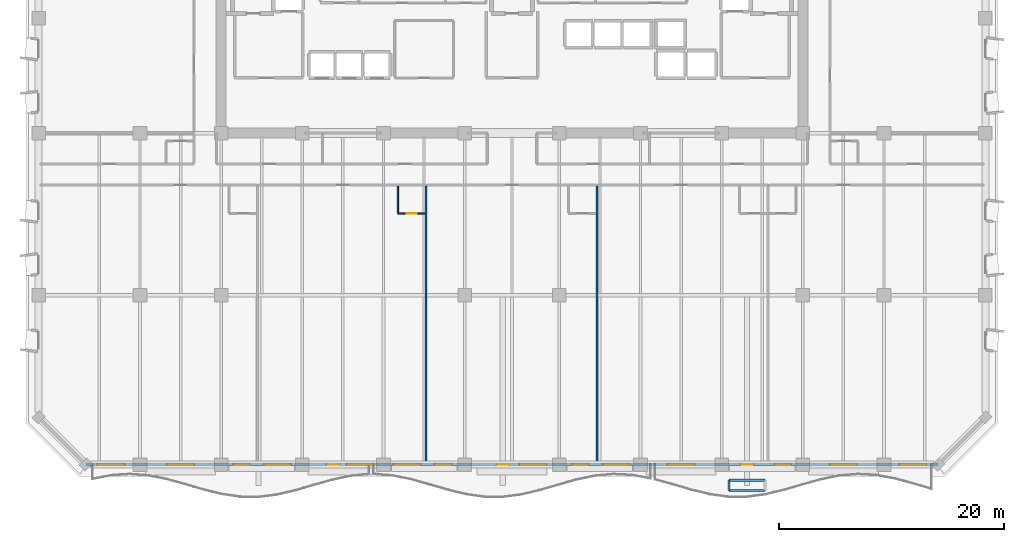
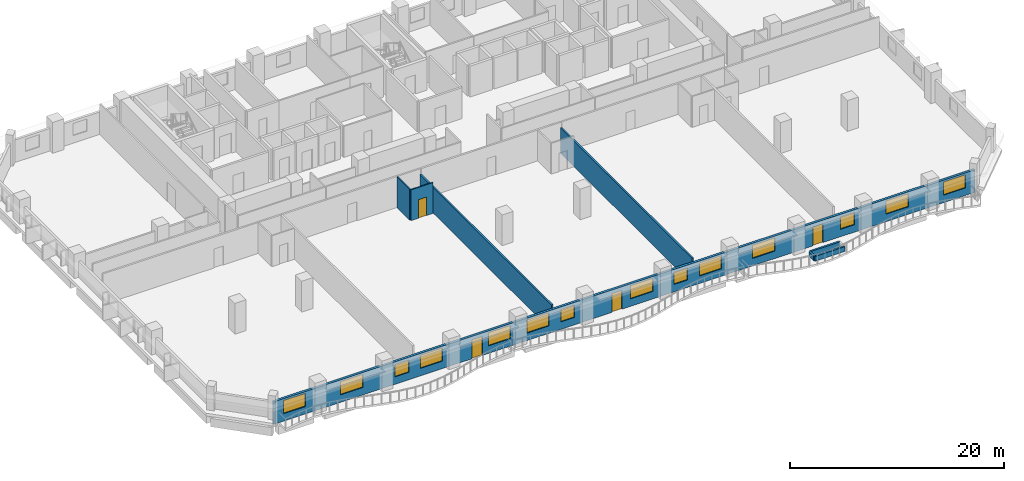
# One storey, part 5 of 14: 14 windows, 8 walls, 4 doors, 18 openings.
"""IFC4 building model written with IfcOpenShell, lengths in metres."""

from ifc_helpers import new_model, si_unit, direction, frame, frame_2d, origin, place, context, subcontext, project, spatial, rectangle, extrude, material, layer, layer_set, type_object, element, fill, save


model = new_model("IFC4")

# Units and contexts
model_context = context("Model", 3, precision=1e-05, world=origin(), true_north=direction((0.0, 1.0)))
body_context = subcontext(model_context, "Body", "Model", "MODEL_VIEW")
ifc_project = project(units=[si_unit("LENGTHUNIT", "METRE"), si_unit("AREAUNIT", "SQUARE_METRE"), si_unit("VOLUMEUNIT", "CUBIC_METRE"), si_unit("PLANEANGLEUNIT", "RADIAN"), si_unit("MASSUNIT", "GRAM", prefix="KILO")], contexts=[model_context])

# Site, building, storey
site_placement = place(None, origin())
site = spatial("IfcSite", under=ifc_project, at=site_placement, CompositionType="ELEMENT")
building_placement = place(site_placement, origin())
building = spatial("IfcBuilding", under=site, at=building_placement, Name="Kaelvorn Grand Hotel", CompositionType="ELEMENT")
storey_placement = place(building_placement, frame((0.0, 0.0, 126.800048828125)))
storey = spatial("IfcBuildingStorey", under=building, at=storey_placement, Name="L30", CompositionType="ELEMENT", Elevation=126.800048828125)

# Wall, openings, doors, windows
ifc_material_1 = material(Name="Concrete C40/50", Category="concrete")
ifc_layer_1 = layer(ifc_material_1, 0.260009765625)
ifc_layer_set_1 = layer_set([ifc_layer_1], Name="Concrete C40/50")
wall_type_1 = type_object("IfcWallType", Name="WL-EXT-260-C40", PredefinedType="SOLIDWALL", material=ifc_layer_set_1)
wall_1_placement = place(storey_placement, frame((4.199951171875, 0.0, 0.0), z_axis=(0.0, 0.0, 1.0), x_axis=(1.0, 0.0, 0.0)))
wall_1 = element("IfcWall", 1, at=wall_1_placement, inside=storey, type_object=wall_type_1, Name="L30 Exterior Architectural Concrete Wall 01", PredefinedType="SOLIDWALL", context=body_context, shape_type="SweptSolid", body=[
    extrude(rectangle(XDim=75.60009765625, YDim=0.260009765625, at=frame_2d((37.800048828125, 0.0))), origin(), (0.0, 0.0, 1.0), 2.56005859375),
])
opening_1_placement = place(wall_1_placement, frame((21.38330078125, 0.0, 0.0)))
opening_1 = element("IfcOpeningElement", 2, at=opening_1_placement, cuts=wall_1, Name="Opening DE2", PredefinedType="OPENING", context=body_context, shape_type="SweptSolid", body=[
    extrude(rectangle(XDim=1.10009765625, YDim=2.14990234375, at=frame_2d((0.550048828125, 1.074951171875))), frame((0.0, 0.14013671875, 0.0), z_axis=(0.0, -1.0, 0.0), x_axis=(1.0, 0.0, 0.0)), (0.0, 0.0, 1.0), 0.280029296875),
])
opening_2_placement = place(wall_1_placement, frame((36.43212890625, 0.0, 0.0)))
opening_2 = element("IfcOpeningElement", 3, at=opening_2_placement, cuts=wall_1, Name="Opening DE2", PredefinedType="OPENING", context=body_context, shape_type="SweptSolid", body=[
    extrude(rectangle(XDim=1.10009765625, YDim=2.14990234375, at=frame_2d((0.550048828125, 1.074951171875))), frame((0.0, 0.14013671875, 0.0), z_axis=(0.0, -1.0, 0.0), x_axis=(1.0, 0.0, 0.0)), (0.0, 0.0, 1.0), 0.280029296875),
])
opening_3_placement = place(wall_1_placement, frame((58.094482421875, 0.0, 0.0)))
opening_3 = element("IfcOpeningElement", 4, at=opening_3_placement, cuts=wall_1, Name="Opening DE2", PredefinedType="OPENING", context=body_context, shape_type="SweptSolid", body=[
    extrude(rectangle(XDim=1.10009765625, YDim=2.14990234375, at=frame_2d((0.550048828125, 1.074951171875))), frame((0.0, 0.14013671875, 0.0), z_axis=(0.0, -1.0, 0.0), x_axis=(1.0, 0.0, 0.0)), (0.0, 0.0, 1.0), 0.280029296875),
])
opening_4_placement = place(wall_1_placement, frame((1.034912109375, 0.0, 0.85009765625)))
opening_4 = element("IfcOpeningElement", 5, at=opening_4_placement, cuts=wall_1, Name="Opening W6", PredefinedType="OPENING", context=body_context, shape_type="SweptSolid", body=[
    extrude(rectangle(XDim=2.39990234375, YDim=1.5, at=frame_2d((1.199951171875, 0.75))), frame((0.0, 0.14013671875, 0.0), z_axis=(0.0, -1.0, 0.0), x_axis=(1.0, 0.0, 0.0)), (0.0, 0.0, 1.0), 0.280029296875),
])
opening_5_placement = place(wall_1_placement, frame((7.199951171875, 0.0, 0.85009765625)))
opening_5 = element("IfcOpeningElement", 6, at=opening_5_placement, cuts=wall_1, Name="Opening W6", PredefinedType="OPENING", context=body_context, shape_type="SweptSolid", body=[
    extrude(rectangle(XDim=2.39990234375, YDim=1.5, at=frame_2d((1.199951171875, 0.75))), frame((0.0, 0.14013671875, 0.0), z_axis=(0.0, -1.0, 0.0), x_axis=(1.0, 0.0, 0.0)), (0.0, 0.0, 1.0), 0.280029296875),
])
opening_6_placement = place(wall_1_placement, frame((13.054931640625, 0.0, 0.85009765625)))
opening_6 = element("IfcOpeningElement", 7, at=opening_6_placement, cuts=wall_1, Name="Opening W10", PredefinedType="OPENING", context=body_context, shape_type="SweptSolid", body=[
    extrude(rectangle(XDim=1.5, YDim=1.39990234375, at=frame_2d((0.75, 0.699951171875))), frame((0.0, 0.14013671875, 0.0), z_axis=(0.0, -1.0, 0.0), x_axis=(1.0, 0.0, 0.0)), (0.0, 0.0, 1.0), 0.280029296875),
])
opening_7_placement = place(wall_1_placement, frame((15.804931640625, 0.0, 0.85009765625)))
opening_7 = element("IfcOpeningElement", 8, at=opening_7_placement, cuts=wall_1, Name="Opening W6", PredefinedType="OPENING", context=body_context, shape_type="SweptSolid", body=[
    extrude(rectangle(XDim=2.39990234375, YDim=1.5, at=frame_2d((1.199951171875, 0.75))), frame((0.0, 0.14013671875, 0.0), z_axis=(0.0, -1.0, 0.0), x_axis=(1.0, 0.0, 0.0)), (0.0, 0.0, 1.0), 0.280029296875),
])
opening_8_placement = place(wall_1_placement, frame((23.126708984375, 0.0, 0.85009765625)))
opening_8 = element("IfcOpeningElement", 9, at=opening_8_placement, cuts=wall_1, Name="Opening W6", PredefinedType="OPENING", context=body_context, shape_type="SweptSolid", body=[
    extrude(rectangle(XDim=2.39990234375, YDim=1.5, at=frame_2d((1.199951171875, 0.75))), frame((0.0, 0.14013671875, 0.0), z_axis=(0.0, -1.0, 0.0), x_axis=(1.0, 0.0, 0.0)), (0.0, 0.0, 1.0), 0.280029296875),
])
opening_9_placement = place(wall_1_placement, frame((27.284912109375, 0.0, 0.85009765625)))
opening_9 = element("IfcOpeningElement", 10, at=opening_9_placement, cuts=wall_1, Name="Opening W6", PredefinedType="OPENING", context=body_context, shape_type="SweptSolid", body=[
    extrude(rectangle(XDim=2.39990234375, YDim=1.5, at=frame_2d((1.199951171875, 0.75))), frame((0.0, 0.14013671875, 0.0), z_axis=(0.0, -1.0, 0.0), x_axis=(1.0, 0.0, 0.0)), (0.0, 0.0, 1.0), 0.280029296875),
])
opening_10_placement = place(wall_1_placement, frame((30.93505859375, 0.0, 0.85009765625)))
opening_10 = element("IfcOpeningElement", 11, at=opening_10_placement, cuts=wall_1, Name="Opening W10", PredefinedType="OPENING", context=body_context, shape_type="SweptSolid", body=[
    extrude(rectangle(XDim=1.5, YDim=1.39990234375, at=frame_2d((0.75, 0.699951171875))), frame((0.0, 0.14013671875, 0.0), z_axis=(0.0, -1.0, 0.0), x_axis=(1.0, 0.0, 0.0)), (0.0, 0.0, 1.0), 0.280029296875),
])
opening_11_placement = place(wall_1_placement, frame((38.451171875, 0.0, 0.85009765625)))
opening_11 = element("IfcOpeningElement", 12, at=opening_11_placement, cuts=wall_1, Name="Opening W6", PredefinedType="OPENING", context=body_context, shape_type="SweptSolid", body=[
    extrude(rectangle(XDim=2.39990234375, YDim=1.5, at=frame_2d((1.199951171875, 0.75))), frame((0.0, 0.14013671875, 0.0), z_axis=(0.0, -1.0, 0.0), x_axis=(1.0, 0.0, 0.0)), (0.0, 0.0, 1.0), 0.280029296875),
])
opening_12_placement = place(wall_1_placement, frame((43.114990234375, 0.0, 0.85009765625)))
opening_12 = element("IfcOpeningElement", 13, at=opening_12_placement, cuts=wall_1, Name="Opening W10", PredefinedType="OPENING", context=body_context, shape_type="SweptSolid", body=[
    extrude(rectangle(XDim=1.5, YDim=1.39990234375, at=frame_2d((0.75, 0.699951171875))), frame((0.0, 0.14013671875, 0.0), z_axis=(0.0, -1.0, 0.0), x_axis=(1.0, 0.0, 0.0)), (0.0, 0.0, 1.0), 0.280029296875),
])
opening_13_placement = place(wall_1_placement, frame((45.864990234375, 0.0, 0.85009765625)))
opening_13 = element("IfcOpeningElement", 14, at=opening_13_placement, cuts=wall_1, Name="Opening W6", PredefinedType="OPENING", context=body_context, shape_type="SweptSolid", body=[
    extrude(rectangle(XDim=2.39990234375, YDim=1.5, at=frame_2d((1.199951171875, 0.75))), frame((0.0, 0.14013671875, 0.0), z_axis=(0.0, -1.0, 0.0), x_axis=(1.0, 0.0, 0.0)), (0.0, 0.0, 1.0), 0.280029296875),
])
opening_14_placement = place(wall_1_placement, frame((51.60009765625, 0.0, 0.85009765625)))
opening_14 = element("IfcOpeningElement", 15, at=opening_14_placement, cuts=wall_1, Name="Opening W6", PredefinedType="OPENING", context=body_context, shape_type="SweptSolid", body=[
    extrude(rectangle(XDim=2.39990234375, YDim=1.5, at=frame_2d((1.199951171875, 0.75))), frame((0.0, 0.14013671875, 0.0), z_axis=(0.0, -1.0, 0.0), x_axis=(1.0, 0.0, 0.0)), (0.0, 0.0, 1.0), 0.280029296875),
])
opening_15_placement = place(wall_1_placement, frame((61.095458984375, 0.0, 0.85009765625)))
opening_15 = element("IfcOpeningElement", 16, at=opening_15_placement, cuts=wall_1, Name="Opening W10", PredefinedType="OPENING", context=body_context, shape_type="SweptSolid", body=[
    extrude(rectangle(XDim=1.5, YDim=1.39990234375, at=frame_2d((0.75, 0.699951171875))), frame((0.0, 0.14013671875, 0.0), z_axis=(0.0, -1.0, 0.0), x_axis=(1.0, 0.0, 0.0)), (0.0, 0.0, 1.0), 0.280029296875),
])
opening_16_placement = place(wall_1_placement, frame((66.0, 0.0, 0.85009765625)))
opening_16 = element("IfcOpeningElement", 17, at=opening_16_placement, cuts=wall_1, Name="Opening W6", PredefinedType="OPENING", context=body_context, shape_type="SweptSolid", body=[
    extrude(rectangle(XDim=2.39990234375, YDim=1.5, at=frame_2d((1.199951171875, 0.75))), frame((0.0, 0.14013671875, 0.0), z_axis=(0.0, -1.0, 0.0), x_axis=(1.0, 0.0, 0.0)), (0.0, 0.0, 1.0), 0.280029296875),
])
opening_17_placement = place(wall_1_placement, frame((72.1650390625, 0.0, 0.85009765625)))
opening_17 = element("IfcOpeningElement", 18, at=opening_17_placement, cuts=wall_1, Name="Opening W6", PredefinedType="OPENING", context=body_context, shape_type="SweptSolid", body=[
    extrude(rectangle(XDim=2.39990234375, YDim=1.5, at=frame_2d((1.199951171875, 0.75))), frame((0.0, 0.14013671875, 0.0), z_axis=(0.0, -1.0, 0.0), x_axis=(1.0, 0.0, 0.0)), (0.0, 0.0, 1.0), 0.280029296875),
])
ifc_material_2 = material(Name="Anodised Aluminium", Category="aluminium")
door_type_1 = type_object("IfcDoorType", Name="DR-EXT-BALC-1100x2150", OperationType="NOTDEFINED", PredefinedType="DOOR", material=ifc_material_2)
door_1_placement = place(opening_1_placement, origin())
door_1 = element("IfcDoor", 19, at=door_1_placement, inside=storey, type_object=door_type_1, Name="L30 Scalloped Balcony Glazed Door DE2-1", OperationType="SINGLE_SWING_RIGHT", OverallHeight=2.14990234375, OverallWidth=1.10009765625, PredefinedType="DOOR", context=body_context, shape_type="SweptSolid", body=[
    extrude(rectangle(XDim=1.10009765625, YDim=2.14990234375, at=frame_2d((0.550048828125, 1.074951171875))), frame((0.0, 0.02490234375, 0.0), z_axis=(0.0, -1.0, 0.0), x_axis=(1.0, 0.0, 0.0)), (0.0, 0.0, 1.0), 0.050048828125),
])
fill(opening_1, door_1)
door_2_placement = place(opening_2_placement, origin())
door_2 = element("IfcDoor", 20, at=door_2_placement, inside=storey, type_object=door_type_1, Name="L30 Scalloped Balcony Glazed Door DE2-2", OperationType="SINGLE_SWING_LEFT", OverallHeight=2.14990234375, OverallWidth=1.10009765625, PredefinedType="DOOR", context=body_context, shape_type="SweptSolid", body=[
    extrude(rectangle(XDim=1.10009765625, YDim=2.14990234375, at=frame_2d((0.550048828125, 1.074951171875))), frame((0.0, 0.02490234375, 0.0), z_axis=(0.0, -1.0, 0.0), x_axis=(1.0, 0.0, 0.0)), (0.0, 0.0, 1.0), 0.050048828125),
])
fill(opening_2, door_2)
door_3_placement = place(opening_3_placement, origin())
door_3 = element("IfcDoor", 21, at=door_3_placement, inside=storey, type_object=door_type_1, Name="L30 Scalloped Balcony Glazed Door DE2-3", OperationType="SINGLE_SWING_RIGHT", OverallHeight=2.14990234375, OverallWidth=1.10009765625, PredefinedType="DOOR", context=body_context, shape_type="SweptSolid", body=[
    extrude(rectangle(XDim=1.10009765625, YDim=2.14990234375, at=frame_2d((0.550048828125, 1.074951171875))), frame((0.0, 0.02490234375, 0.0), z_axis=(0.0, -1.0, 0.0), x_axis=(1.0, 0.0, 0.0)), (0.0, 0.0, 1.0), 0.050048828125),
])
fill(opening_3, door_3)
ifc_material_3 = material(Name="Laminated Low-E Glass", Category="glass")
window_type_1 = type_object("IfcWindowType", Name="WIN-COR-1500x1400", PartitioningType="SINGLE_PANEL", PredefinedType="WINDOW", material=ifc_material_3)
window_1_placement = place(opening_6_placement, origin())
window_1 = element("IfcWindow", 22, at=window_1_placement, inside=storey, type_object=window_type_1, Name="L30 South Guestroom Ribbon Window SR03", OverallHeight=1.39990234375, OverallWidth=1.5, PartitioningType="SINGLE_PANEL", PredefinedType="WINDOW", context=body_context, shape_type="SweptSolid", body=[
    extrude(rectangle(XDim=1.5, YDim=1.39990234375, at=frame_2d((0.75, 0.699951171875))), frame((0.0, 0.030029296875, 0.0), z_axis=(0.0, -1.0, 0.0), x_axis=(1.0, 0.0, 0.0)), (0.0, 0.0, 1.0), 0.06005859375),
])
fill(opening_6, window_1)
window_2_placement = place(opening_10_placement, origin())
window_2 = element("IfcWindow", 23, at=window_2_placement, inside=storey, type_object=window_type_1, Name="L30 South Guestroom Ribbon Window SR07", OverallHeight=1.39990234375, OverallWidth=1.5, PartitioningType="SINGLE_PANEL", PredefinedType="WINDOW", context=body_context, shape_type="SweptSolid", body=[
    extrude(rectangle(XDim=1.5, YDim=1.39990234375, at=frame_2d((0.75, 0.699951171875))), frame((0.0, 0.030029296875, 0.0), z_axis=(0.0, -1.0, 0.0), x_axis=(1.0, 0.0, 0.0)), (0.0, 0.0, 1.0), 0.06005859375),
])
fill(opening_10, window_2)
window_3_placement = place(opening_12_placement, origin())
window_3 = element("IfcWindow", 24, at=window_3_placement, inside=storey, type_object=window_type_1, Name="L30 South Guestroom Ribbon Window SR09", OverallHeight=1.39990234375, OverallWidth=1.5, PartitioningType="SINGLE_PANEL", PredefinedType="WINDOW", context=body_context, shape_type="SweptSolid", body=[
    extrude(rectangle(XDim=1.5, YDim=1.39990234375, at=frame_2d((0.75, 0.699951171875))), frame((0.0, 0.030029296875, 0.0), z_axis=(0.0, -1.0, 0.0), x_axis=(1.0, 0.0, 0.0)), (0.0, 0.0, 1.0), 0.06005859375),
])
fill(opening_12, window_3)
window_4_placement = place(opening_15_placement, origin())
window_4 = element("IfcWindow", 25, at=window_4_placement, inside=storey, type_object=window_type_1, Name="L30 South Guestroom Ribbon Window SR12", OverallHeight=1.39990234375, OverallWidth=1.5, PartitioningType="SINGLE_PANEL", PredefinedType="WINDOW", context=body_context, shape_type="SweptSolid", body=[
    extrude(rectangle(XDim=1.5, YDim=1.39990234375, at=frame_2d((0.75, 0.699951171875))), frame((0.0, 0.030029296875, 0.0), z_axis=(0.0, -1.0, 0.0), x_axis=(1.0, 0.0, 0.0)), (0.0, 0.0, 1.0), 0.06005859375),
])
fill(opening_15, window_4)
window_type_2 = type_object("IfcWindowType", Name="WIN-NTH-2400x1500", PartitioningType="SINGLE_PANEL", PredefinedType="WINDOW", material=ifc_material_3)
window_5_placement = place(opening_4_placement, origin())
window_5 = element("IfcWindow", 26, at=window_5_placement, inside=storey, type_object=window_type_2, Name="L30 South Guestroom Ribbon Window SR01", OverallHeight=1.5, OverallWidth=2.39990234375, PartitioningType="SINGLE_PANEL", PredefinedType="WINDOW", context=body_context, shape_type="SweptSolid", body=[
    extrude(rectangle(XDim=2.39990234375, YDim=1.5, at=frame_2d((1.199951171875, 0.75))), frame((0.0, 0.030029296875, 0.0), z_axis=(0.0, -1.0, 0.0), x_axis=(1.0, 0.0, 0.0)), (0.0, 0.0, 1.0), 0.06005859375),
])
fill(opening_4, window_5)
window_6_placement = place(opening_5_placement, origin())
window_6 = element("IfcWindow", 27, at=window_6_placement, inside=storey, type_object=window_type_2, Name="L30 South Guestroom Ribbon Window SR02", OverallHeight=1.5, OverallWidth=2.39990234375, PartitioningType="SINGLE_PANEL", PredefinedType="WINDOW", context=body_context, shape_type="SweptSolid", body=[
    extrude(rectangle(XDim=2.39990234375, YDim=1.5, at=frame_2d((1.199951171875, 0.75))), frame((0.0, 0.030029296875, 0.0), z_axis=(0.0, -1.0, 0.0), x_axis=(1.0, 0.0, 0.0)), (0.0, 0.0, 1.0), 0.06005859375),
])
fill(opening_5, window_6)
window_7_placement = place(opening_7_placement, origin())
window_7 = element("IfcWindow", 28, at=window_7_placement, inside=storey, type_object=window_type_2, Name="L30 South Guestroom Ribbon Window SR04", OverallHeight=1.5, OverallWidth=2.39990234375, PartitioningType="SINGLE_PANEL", PredefinedType="WINDOW", context=body_context, shape_type="SweptSolid", body=[
    extrude(rectangle(XDim=2.39990234375, YDim=1.5, at=frame_2d((1.199951171875, 0.75))), frame((0.0, 0.030029296875, 0.0), z_axis=(0.0, -1.0, 0.0), x_axis=(1.0, 0.0, 0.0)), (0.0, 0.0, 1.0), 0.06005859375),
])
fill(opening_7, window_7)
window_8_placement = place(opening_8_placement, origin())
window_8 = element("IfcWindow", 29, at=window_8_placement, inside=storey, type_object=window_type_2, Name="L30 South Guestroom Ribbon Window SR05", OverallHeight=1.5, OverallWidth=2.39990234375, PartitioningType="SINGLE_PANEL", PredefinedType="WINDOW", context=body_context, shape_type="SweptSolid", body=[
    extrude(rectangle(XDim=2.39990234375, YDim=1.5, at=frame_2d((1.199951171875, 0.75))), frame((0.0, 0.030029296875, 0.0), z_axis=(0.0, -1.0, 0.0), x_axis=(1.0, 0.0, 0.0)), (0.0, 0.0, 1.0), 0.06005859375),
])
fill(opening_8, window_8)
window_9_placement = place(opening_9_placement, origin())
window_9 = element("IfcWindow", 30, at=window_9_placement, inside=storey, type_object=window_type_2, Name="L30 South Guestroom Ribbon Window SR06", OverallHeight=1.5, OverallWidth=2.39990234375, PartitioningType="SINGLE_PANEL", PredefinedType="WINDOW", context=body_context, shape_type="SweptSolid", body=[
    extrude(rectangle(XDim=2.39990234375, YDim=1.5, at=frame_2d((1.199951171875, 0.75))), frame((0.0, 0.030029296875, 0.0), z_axis=(0.0, -1.0, 0.0), x_axis=(1.0, 0.0, 0.0)), (0.0, 0.0, 1.0), 0.06005859375),
])
fill(opening_9, window_9)
window_10_placement = place(opening_11_placement, origin())
window_10 = element("IfcWindow", 31, at=window_10_placement, inside=storey, type_object=window_type_2, Name="L30 South Guestroom Ribbon Window SR08", OverallHeight=1.5, OverallWidth=2.39990234375, PartitioningType="SINGLE_PANEL", PredefinedType="WINDOW", context=body_context, shape_type="SweptSolid", body=[
    extrude(rectangle(XDim=2.39990234375, YDim=1.5, at=frame_2d((1.199951171875, 0.75))), frame((0.0, 0.030029296875, 0.0), z_axis=(0.0, -1.0, 0.0), x_axis=(1.0, 0.0, 0.0)), (0.0, 0.0, 1.0), 0.06005859375),
])
fill(opening_11, window_10)
window_11_placement = place(opening_13_placement, origin())
window_11 = element("IfcWindow", 32, at=window_11_placement, inside=storey, type_object=window_type_2, Name="L30 South Guestroom Ribbon Window SR10", OverallHeight=1.5, OverallWidth=2.39990234375, PartitioningType="SINGLE_PANEL", PredefinedType="WINDOW", context=body_context, shape_type="SweptSolid", body=[
    extrude(rectangle(XDim=2.39990234375, YDim=1.5, at=frame_2d((1.199951171875, 0.75))), frame((0.0, 0.030029296875, 0.0), z_axis=(0.0, -1.0, 0.0), x_axis=(1.0, 0.0, 0.0)), (0.0, 0.0, 1.0), 0.06005859375),
])
fill(opening_13, window_11)
window_12_placement = place(opening_14_placement, origin())
window_12 = element("IfcWindow", 33, at=window_12_placement, inside=storey, type_object=window_type_2, Name="L30 South Guestroom Ribbon Window SR11", OverallHeight=1.5, OverallWidth=2.39990234375, PartitioningType="SINGLE_PANEL", PredefinedType="WINDOW", context=body_context, shape_type="SweptSolid", body=[
    extrude(rectangle(XDim=2.39990234375, YDim=1.5, at=frame_2d((1.199951171875, 0.75))), frame((0.0, 0.030029296875, 0.0), z_axis=(0.0, -1.0, 0.0), x_axis=(1.0, 0.0, 0.0)), (0.0, 0.0, 1.0), 0.06005859375),
])
fill(opening_14, window_12)
window_13_placement = place(opening_16_placement, origin())
window_13 = element("IfcWindow", 34, at=window_13_placement, inside=storey, type_object=window_type_2, Name="L30 South Guestroom Ribbon Window SR13", OverallHeight=1.5, OverallWidth=2.39990234375, PartitioningType="SINGLE_PANEL", PredefinedType="WINDOW", context=body_context, shape_type="SweptSolid", body=[
    extrude(rectangle(XDim=2.39990234375, YDim=1.5, at=frame_2d((1.199951171875, 0.75))), frame((0.0, 0.030029296875, 0.0), z_axis=(0.0, -1.0, 0.0), x_axis=(1.0, 0.0, 0.0)), (0.0, 0.0, 1.0), 0.06005859375),
])
fill(opening_16, window_13)
window_14_placement = place(opening_17_placement, origin())
window_14 = element("IfcWindow", 35, at=window_14_placement, inside=storey, type_object=window_type_2, Name="L30 South Guestroom Ribbon Window SR14", OverallHeight=1.5, OverallWidth=2.39990234375, PartitioningType="SINGLE_PANEL", PredefinedType="WINDOW", context=body_context, shape_type="SweptSolid", body=[
    extrude(rectangle(XDim=2.39990234375, YDim=1.5, at=frame_2d((1.199951171875, 0.75))), frame((0.0, 0.030029296875, 0.0), z_axis=(0.0, -1.0, 0.0), x_axis=(1.0, 0.0, 0.0)), (0.0, 0.0, 1.0), 0.06005859375),
])
fill(opening_17, window_14)

# Wall, opening, door
ifc_material_4 = material(Name="Moisture-Resistant Tile & Stud Board")
ifc_layer_2 = layer(ifc_material_4, 0.125)
ifc_layer_set_2 = layer_set([ifc_layer_2], Name="Moisture-Resistant Tile & Stud Board")
wall_type_2 = type_object("IfcWallType", Name="WL-PART-125-WET", PredefinedType="PARTITIONING", material=ifc_layer_set_2)
wall_2_placement = place(storey_placement, frame((31.869384765625, 22.25, 0.0), z_axis=(0.0, 0.0, 1.0), x_axis=(1.0, 0.0, 0.0)))
wall_2 = element("IfcWall", 36, at=wall_2_placement, inside=storey, type_object=wall_type_2, Name="L30 En-suite Bathroom L30-02 S Partition", PredefinedType="PARTITIONING", context=body_context, shape_type="SweptSolid", body=[
    extrude(rectangle(XDim=2.405029296875, YDim=0.125, at=frame_2d((1.20263671875, 0.0))), origin(), (0.0, 0.0, 1.0), 3.510009765625),
])
opening_18_placement = place(wall_2_placement, frame((0.800048828125, 0.0, 0.0)))
opening_18 = element("IfcOpeningElement", 37, at=opening_18_placement, cuts=wall_2, Name="Opening DI4", PredefinedType="OPENING", context=body_context, shape_type="SweptSolid", body=[
    extrude(rectangle(XDim=0.89990234375, YDim=2.10009765625, at=frame_2d((0.449951171875, 1.050048828125))), frame((0.0, 0.072509765625, 0.0), z_axis=(0.0, -1.0, 0.0), x_axis=(1.0, 0.0, 0.0)), (0.0, 0.0, 1.0), 0.14501953125),
])
ifc_material_5 = material(Name="Timber Veneer Leaf", Category="wood")
door_type_2 = type_object("IfcDoorType", Name="DR-INT-BATH-900x2100", OperationType="NOTDEFINED", PredefinedType="DOOR", material=ifc_material_5)
door_4_placement = place(opening_18_placement, origin())
door_4 = element("IfcDoor", 38, at=door_4_placement, inside=storey, type_object=door_type_2, Name="L30 En-suite Bathroom L30-02 Door", OperationType="SINGLE_SWING_RIGHT", OverallHeight=2.10009765625, OverallWidth=0.89990234375, PredefinedType="DOOR", context=body_context, shape_type="SweptSolid", body=[
    extrude(rectangle(XDim=0.89990234375, YDim=2.10009765625, at=frame_2d((0.449951171875, 1.050048828125))), frame((0.0, 0.02490234375, 0.0), z_axis=(0.0, -1.0, 0.0), x_axis=(1.0, 0.0, 0.0)), (0.0, 0.0, 1.0), 0.050048828125),
])
fill(opening_18, door_4)

# Walls
wall_3_placement = place(storey_placement, frame((31.869384765625, 22.3173828125, 0.0), z_axis=(0.0, 0.0, 1.0), x_axis=(0.0, 1.0, 0.0)))
element("IfcWall", 39, at=wall_3_placement, inside=storey, type_object=wall_type_2, Name="L30 En-suite Bathroom L30-02 W Partition", PredefinedType="PARTITIONING", context=body_context, shape_type="SweptSolid", body=[
    extrude(rectangle(XDim=2.3876953125, YDim=0.125, at=frame_2d((1.19384765625, 0.0))), origin(), (0.0, 0.0, 1.0), 3.510009765625),
])
ifc_material_6 = material(Name="Acoustic Gypsum & Stud Partition")
ifc_layer_3 = layer(ifc_material_6, 0.179931640625)
ifc_layer_set_3 = layer_set([ifc_layer_3], Name="Acoustic Gypsum & Stud Partition")
wall_type_3 = type_object("IfcWallType", Name="WL-PART-180-EI60", PredefinedType="PARTITIONING", material=ifc_layer_set_3)
for number, where, z_axis, x_axis, name in (
    (40, (34.369384765625, 0.14990234375, 0.0), (0.0, 0.0, 1.0), (0.0, 1.0, 0.0), "L30 Presidential Sky Suite L30-02 E Partition"),
    (41, (49.530029296875, 0.14990234375, 0.0), (0.0, 0.0, 1.0), (0.0, 1.0, 0.0), "L30 Presidential Sky Suite L30-03 E Partition"),
):
    element("IfcWall", number, at=place(storey_placement, frame(where, z_axis=z_axis, x_axis=x_axis)), inside=storey, type_object=wall_type_3, Name=name, PredefinedType="PARTITIONING", context=body_context, shape_type="SweptSolid", body=[
        extrude(rectangle(XDim=24.55517578125, YDim=0.179931640625, at=frame_2d((12.277587890625, 0.0))), origin(), (0.0, 0.0, 1.0), 2.909912109375),
    ])
ifc_layer_4 = layer(ifc_material_1, 0.199951171875)
ifc_layer_set_4 = layer_set([ifc_layer_4], Name="Concrete C40/50")
wall_type_4 = type_object("IfcWallType", Name="WL-TREE-PLANTER-200", PredefinedType="PARAPET", material=ifc_layer_set_4)
for number, where, z_axis, x_axis, name in (
    (42, (61.244384765625, -2.300048828125, 0.0), (0.0, 0.0, 1.0), (1.0, 0.0, 0.0), "L30 Planted Balcony Structural TREE PLANTER Kerb 1-S"),
    (43, (64.4443359375, -1.39990234375, 0.0), (0.0, 0.0, 1.0), (-1.0, 0.0, 0.0), "L30 Planted Balcony Structural TREE PLANTER Kerb 1-N"),
):
    element("IfcWall", number, at=place(storey_placement, frame(where, z_axis=z_axis, x_axis=x_axis)), inside=storey, type_object=wall_type_4, Name=name, PredefinedType="PARAPET", context=body_context, shape_type="SweptSolid", body=[
        extrude(rectangle(XDim=3.199951171875, YDim=0.199951171875, at=frame_2d((1.60009765625, 0.0))), origin(), (0.0, 0.0, 1.0), 0.550048828125),
    ])
wall_4_placement = place(storey_placement, frame((61.244384765625, -1.39990234375, 0.0), z_axis=(0.0, 0.0, 1.0), x_axis=(0.0, -1.0, 0.0)))
element("IfcWall", 44, at=wall_4_placement, inside=storey, type_object=wall_type_4, Name="L30 Planted Balcony Structural TREE PLANTER Kerb 1-W", PredefinedType="PARAPET", context=body_context, shape_type="SweptSolid", body=[
    extrude(rectangle(XDim=0.900146484375, YDim=0.199951171875, at=frame_2d((0.4501953125, 0.0))), origin(), (0.0, 0.0, 1.0), 0.550048828125),
])

save(model, "model.ifc")
